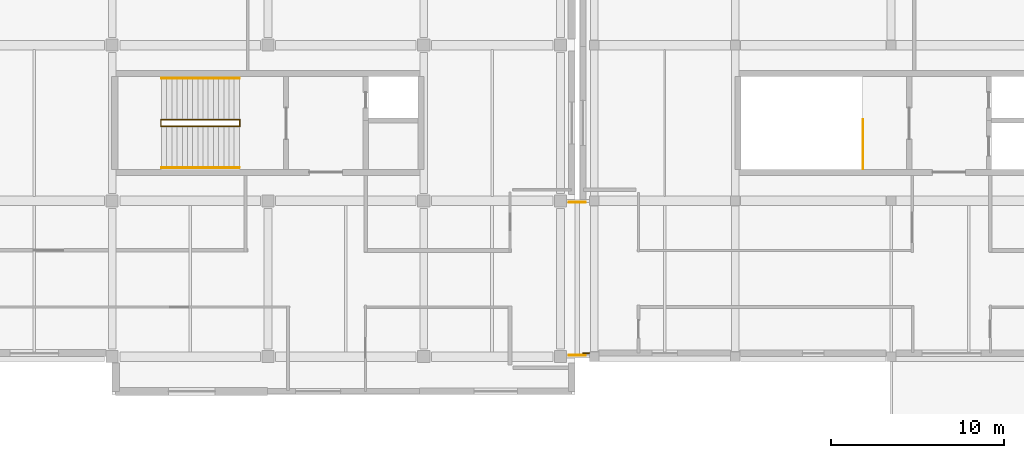
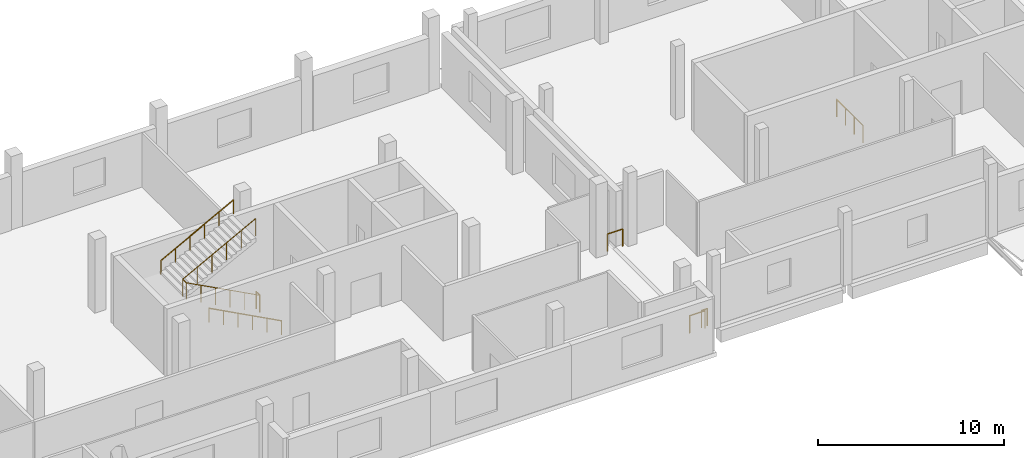
# One storey, part 100 of 111: 8 railings.
"""IFC4 building model written with IfcOpenShell, lengths in metres."""

from ifc_helpers import new_model, si_unit, direction, frame, origin, origin_2d, place, context, subcontext, project, spatial, circle, extrude, material, type_object, element, save


model = new_model("IFC4")

# Units and contexts
model_context = context("Model", 3, precision=1e-05, world=origin(), true_north=direction((0.0, 1.0)))
body_context = subcontext(model_context, "Body", "Model", "MODEL_VIEW")
ifc_project = project(units=[si_unit("LENGTHUNIT", "METRE"), si_unit("AREAUNIT", "SQUARE_METRE"), si_unit("VOLUMEUNIT", "CUBIC_METRE"), si_unit("PLANEANGLEUNIT", "RADIAN"), si_unit("MASSUNIT", "GRAM", prefix="KILO"), si_unit("THERMODYNAMICTEMPERATUREUNIT", "KELVIN"), si_unit("POWERUNIT", "WATT")], contexts=[model_context])

# Site, building, storey
site_placement = place(None, origin())
site = spatial("IfcSite", under=ifc_project, at=site_placement, CompositionType="ELEMENT")
building_placement = place(site_placement, origin())
building = spatial("IfcBuilding", under=site, at=building_placement, Name="Sindhuravela Promenade Stadium", CompositionType="ELEMENT")
storey_placement = place(building_placement, frame((0.0, 0.0, 9.60009765625)))
storey = spatial("IfcBuildingStorey", under=building, at=storey_placement, Name="L02", CompositionType="ELEMENT", Elevation=9.60009765625)

# Railings
ifc_material = material(Name="Architectural wrought steel E350", Category="steel")
railing_type_1 = type_object("IfcRailingType", Name="RL-GRD-1150", PredefinedType="GUARDRAIL", material=ifc_material)
railing_1_placement = place(storey_placement, frame((162.570068359375, 9.199951171875, 0.0)))
element("IfcRailing", 1, at=railing_1_placement, inside=storey, type_object=railing_type_1, Name="Perimeter edge return guard Pavilion SE L02", PredefinedType="GUARDRAIL", context=body_context, shape_type="SweptSolid", body=[
    extrude(circle(Radius=0.02392578125, at=origin_2d()), frame((0.0, 0.0, 1.1259765625), z_axis=(-1.0, 0.0, 0.0), x_axis=(0.0, -1.0, 0.0)), (0.0, 0.0, 1.0), 0.3701171875),
    extrude(circle(Radius=0.02099609375, at=origin_2d()), origin(), (0.0, 0.0, 1.0), 1.101806640625),
    extrude(circle(Radius=0.02099609375, at=origin_2d()), frame((-0.3701171875, 0.0, 0.0)), (0.0, 0.0, 1.0), 1.101806640625),
])
for number, where, name in (
    (2, (161.39990234375, 9.080078125, 0.0), "Bridge edge guardrail GR01-83"),
    (3, (161.39990234375, 17.919921875, 0.0), "Bridge edge guardrail GR01-84"),
):
    element("IfcRailing", number, at=place(storey_placement, frame(where)), inside=storey, type_object=railing_type_1, Name=name, PredefinedType="GUARDRAIL", context=body_context, shape_type="SweptSolid", body=[
        extrude(circle(Radius=0.02392578125, at=origin_2d()), frame((0.0, 0.0, 1.1259765625), z_axis=(1.0, 0.0, 0.0), x_axis=(0.0, 1.0, 0.0)), (0.0, 0.0, 1.0), 0.9501953125),
        extrude(circle(Radius=0.02099609375, at=origin_2d()), origin(), (0.0, 0.0, 1.0), 1.101806640625),
        extrude(circle(Radius=0.02099609375, at=origin_2d()), frame((0.9501953125, 0.0, 0.0)), (0.0, 0.0, 1.0), 1.101806640625),
    ])
railing_2_placement = place(storey_placement, frame((142.35009765625, 22.31005859375, 0.0)))
element("IfcRailing", 4, at=railing_2_placement, inside=storey, type_object=railing_type_1, Name="Stair ST12 inner well guard (L02)", PredefinedType="GUARDRAIL", context=body_context, shape_type="SweptSolid", body=[
    extrude(circle(Radius=0.02392578125, at=origin_2d()), frame((0.0, 0.0, 1.1259765625), z_axis=(-0.8836546633431795, 0.0, 0.46813933390802775), x_axis=(0.0, -1.0, 0.0)), (0.0, 0.0, 1.0), 5.12646484375),
    extrude(circle(Radius=0.02392578125, at=origin_2d()), frame((-4.530029296875, 0.0, 3.52587890625), z_axis=(0.0, 1.0, 0.0), x_axis=(-1.0, 0.0, 0.0)), (0.0, 0.0, 1.0), 0.3798828125),
    extrude(circle(Radius=0.02392578125, at=origin_2d()), frame((-4.530029296875, 0.3798828125, 3.52587890625), z_axis=(0.8836546633431795, 0.0, 0.46813933390802775), x_axis=(0.0, 1.0, 0.0)), (0.0, 0.0, 1.0), 5.12646484375),
    extrude(circle(Radius=0.02099609375, at=origin_2d()), origin(), (0.0, 0.0, 1.0), 1.101806640625),
    extrude(circle(Radius=0.02099609375, at=origin_2d()), frame((-0.906005859375, 0.0, 0.47998046875)), (0.0, 0.0, 1.0), 1.101806640625),
    extrude(circle(Radius=0.02099609375, at=origin_2d()), frame((-1.81201171875, 0.0, 0.9599609375)), (0.0, 0.0, 1.0), 1.101806640625),
    extrude(circle(Radius=0.02099609375, at=origin_2d()), frame((-2.718017578125, 0.0, 1.43994140625)), (0.0, 0.0, 1.0), 1.101806640625),
    extrude(circle(Radius=0.02099609375, at=origin_2d()), frame((-3.6240234375, 0.0, 1.919921875)), (0.0, 0.0, 1.0), 1.101806640625),
    extrude(circle(Radius=0.02099609375, at=origin_2d()), frame((-4.530029296875, 0.0, 2.39990234375)), (0.0, 0.0, 1.0), 1.101806640625),
    extrude(circle(Radius=0.02099609375, at=origin_2d()), frame((-4.530029296875, 0.3798828125, 2.39990234375)), (0.0, 0.0, 1.0), 1.101806640625),
    extrude(circle(Radius=0.02099609375, at=origin_2d()), frame((-3.6240234375, 0.3798828125, 2.8798828125)), (0.0, 0.0, 1.0), 1.101806640625),
    extrude(circle(Radius=0.02099609375, at=origin_2d()), frame((-2.718017578125, 0.3798828125, 3.35986328125)), (0.0, 0.0, 1.0), 1.101806640625),
    extrude(circle(Radius=0.02099609375, at=origin_2d()), frame((-1.81201171875, 0.3798828125, 3.83984375)), (0.0, 0.0, 1.0), 1.101806640625),
    extrude(circle(Radius=0.02099609375, at=origin_2d()), frame((-0.906005859375, 0.3798828125, 4.31982421875)), (0.0, 0.0, 1.0), 1.101806640625),
    extrude(circle(Radius=0.02099609375, at=origin_2d()), frame((0.0, 0.3798828125, 4.7998046875)), (0.0, 0.0, 1.0), 1.101806640625),
])
railing_3_placement = place(storey_placement, frame((142.3798828125, 22.31005859375, 0.0)))
element("IfcRailing", 5, at=railing_3_placement, inside=storey, type_object=railing_type_1, Name="Stair ST12 landing well slot guard (L02)", PredefinedType="GUARDRAIL", context=body_context, shape_type="SweptSolid", body=[
    extrude(circle(Radius=0.02392578125, at=origin_2d()), frame((0.0, 0.0, 1.1259765625), z_axis=(0.0, 1.0, 0.0), x_axis=(-1.0, 0.0, 0.0)), (0.0, 0.0, 1.0), 0.3798828125),
    extrude(circle(Radius=0.02099609375, at=origin_2d()), origin(), (0.0, 0.0, 1.0), 1.101806640625),
    extrude(circle(Radius=0.02099609375, at=origin_2d()), frame((0.0, 0.3798828125, 0.0)), (0.0, 0.0, 1.0), 1.101806640625),
])
railing_4_placement = place(storey_placement, frame((178.3798828125, 19.860107421875, 0.0)))
element("IfcRailing", 6, at=railing_4_placement, inside=storey, type_object=railing_type_1, Name="Stair GS02 top landing well guard (L02)", PredefinedType="GUARDRAIL", context=body_context, shape_type="SweptSolid", body=[
    extrude(circle(Radius=0.02392578125, at=origin_2d()), frame((0.0, 0.0, 1.1259765625), z_axis=(0.0, 1.0, 0.0), x_axis=(-1.0, 0.0, 0.0)), (0.0, 0.0, 1.0), 2.829833984375),
    extrude(circle(Radius=0.02099609375, at=origin_2d()), origin(), (0.0, 0.0, 1.0), 1.101806640625),
    extrude(circle(Radius=0.02099609375, at=origin_2d()), frame((0.0, 0.943359375, 0.0)), (0.0, 0.0, 1.0), 1.101806640625),
    extrude(circle(Radius=0.02099609375, at=origin_2d()), frame((0.0, 1.886474609375, 0.0)), (0.0, 0.0, 1.0), 1.101806640625),
    extrude(circle(Radius=0.02099609375, at=origin_2d()), frame((0.0, 2.829833984375, 0.0)), (0.0, 0.0, 1.0), 1.101806640625),
])
railing_type_2 = type_object("IfcRailingType", Name="RL-HND-920", PredefinedType="HANDRAIL", material=ifc_material)
railing_5_placement = place(storey_placement, frame((142.35009765625, 19.919921875, 0.0)))
element("IfcRailing", 7, at=railing_5_placement, inside=storey, type_object=railing_type_2, Name="Stair ST12 lower wall handrail (L02)", PredefinedType="HANDRAIL", context=body_context, shape_type="SweptSolid", body=[
    extrude(circle(Radius=0.02392578125, at=origin_2d()), frame((0.0, 0.0, 0.89599609375), z_axis=(-0.8823608919668723, 0.0, 0.4705733272588083), x_axis=(0.0, -1.0, 0.0)), (0.0, 0.0, 1.0), 5.099853515625),
    extrude(circle(Radius=0.02099609375, at=origin_2d()), origin(), (0.0, 0.0, 1.0), 0.871826171875),
    extrude(circle(Radius=0.02099609375, at=origin_2d()), frame((-0.89990234375, 0.0, 0.47998046875)), (0.0, 0.0, 1.0), 0.871826171875),
    extrude(circle(Radius=0.02099609375, at=origin_2d()), frame((-1.800048828125, 0.0, 0.9599609375)), (0.0, 0.0, 1.0), 0.871826171875),
    extrude(circle(Radius=0.02099609375, at=origin_2d()), frame((-2.699951171875, 0.0, 1.43994140625)), (0.0, 0.0, 1.0), 0.871826171875),
    extrude(circle(Radius=0.02099609375, at=origin_2d()), frame((-3.60009765625, 0.0, 1.919921875)), (0.0, 0.0, 1.0), 0.871826171875),
    extrude(circle(Radius=0.02099609375, at=origin_2d()), frame((-4.5, 0.0, 2.39990234375)), (0.0, 0.0, 1.0), 0.871826171875),
])
railing_6_placement = place(storey_placement, frame((137.85009765625, 25.080078125, 2.39990234375)))
element("IfcRailing", 8, at=railing_6_placement, inside=storey, type_object=railing_type_2, Name="Stair ST12 upper wall handrail (L02)", PredefinedType="HANDRAIL", context=body_context, shape_type="SweptSolid", body=[
    extrude(circle(Radius=0.02392578125, at=origin_2d()), frame((0.0, 0.0, 0.89599609375), z_axis=(0.8823608919668723, 0.0, 0.4705733272588083), x_axis=(0.0, 1.0, 0.0)), (0.0, 0.0, 1.0), 5.099853515625),
    extrude(circle(Radius=0.02099609375, at=origin_2d()), origin(), (0.0, 0.0, 1.0), 0.871826171875),
    extrude(circle(Radius=0.02099609375, at=origin_2d()), frame((0.89990234375, 0.0, 0.47998046875)), (0.0, 0.0, 1.0), 0.871826171875),
    extrude(circle(Radius=0.02099609375, at=origin_2d()), frame((1.800048828125, 0.0, 0.9599609375)), (0.0, 0.0, 1.0), 0.871826171875),
    extrude(circle(Radius=0.02099609375, at=origin_2d()), frame((2.699951171875, 0.0, 1.43994140625)), (0.0, 0.0, 1.0), 0.871826171875),
    extrude(circle(Radius=0.02099609375, at=origin_2d()), frame((3.60009765625, 0.0, 1.919921875)), (0.0, 0.0, 1.0), 0.871826171875),
    extrude(circle(Radius=0.02099609375, at=origin_2d()), frame((4.5, 0.0, 2.39990234375)), (0.0, 0.0, 1.0), 0.871826171875),
])

save(model, "model.ifc")
